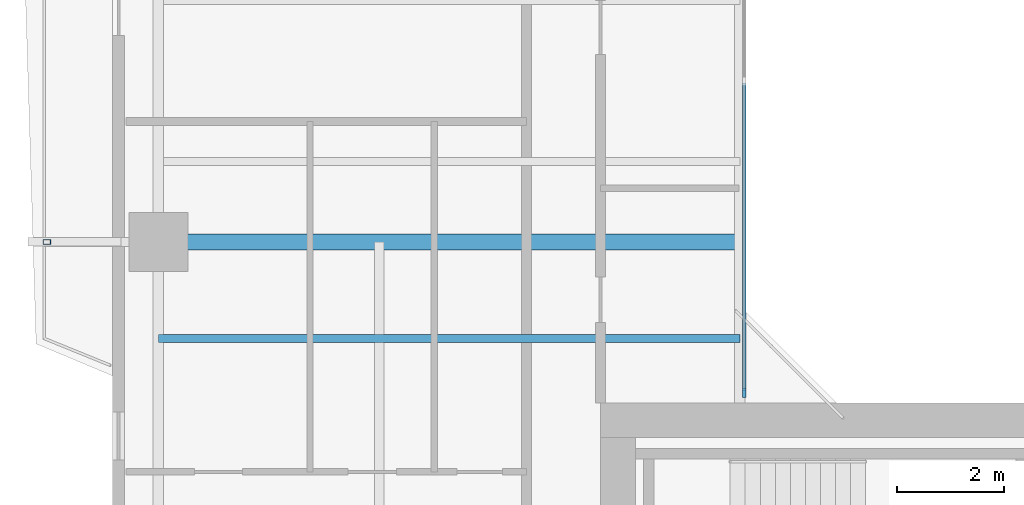
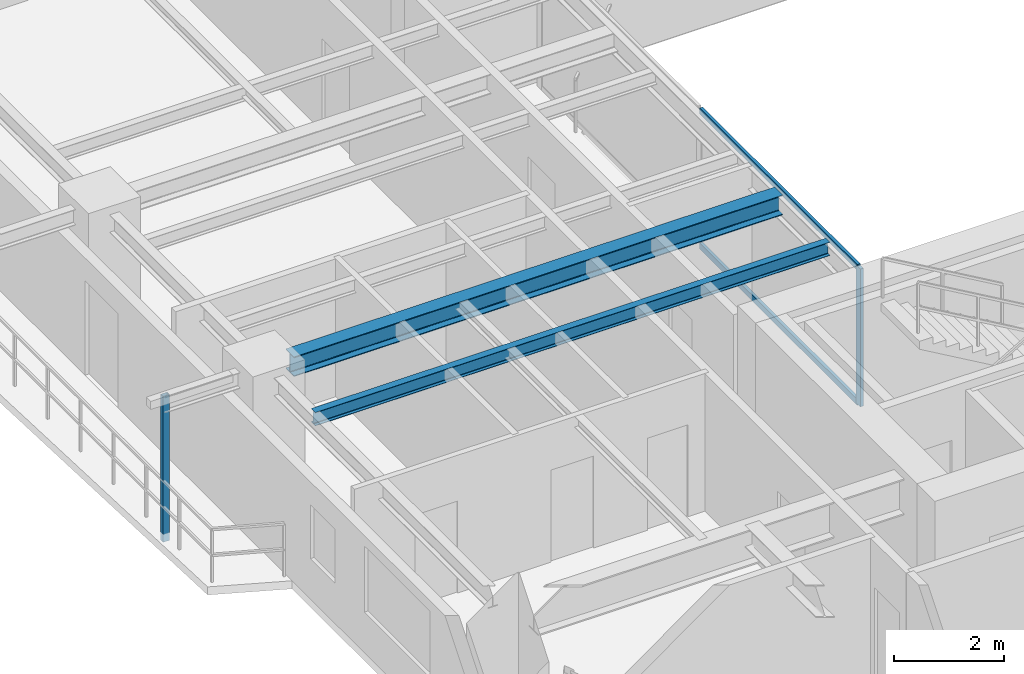
# One storey, part 3 of 23: 4 members, 2 beams, 1 element without a shape of its own.
"""IFC4 building model written with IfcOpenShell, lengths in metres."""

from ifc_helpers import new_model, si_unit, direction, frame, origin, origin_2d, place, context, subcontext, project, spatial, rectangle, hollow_rectangle, i_section, extrude, source, transform, mapped, material, layer, layer_set, material_profile, profile_set, type_object, element, aggregate, save


model = new_model("IFC4")

# Units and contexts
model_context = context("Model", 3, precision=1e-05, world=origin(), true_north=direction((0.0, 1.0)))
body_context = subcontext(model_context, "Body", "Model", "MODEL_VIEW")
ifc_project = project(units=[si_unit("LENGTHUNIT", "METRE"), si_unit("AREAUNIT", "SQUARE_METRE"), si_unit("VOLUMEUNIT", "CUBIC_METRE"), si_unit("PLANEANGLEUNIT", "RADIAN"), si_unit("MASSUNIT", "GRAM", prefix="KILO"), si_unit("THERMODYNAMICTEMPERATUREUNIT", "KELVIN"), si_unit("POWERUNIT", "WATT")], contexts=[model_context])

# Site, building, storey
site_placement = place(None, origin())
site = spatial("IfcSite", under=ifc_project, at=site_placement, CompositionType="ELEMENT")
building_placement = place(site_placement, origin())
building = spatial("IfcBuilding", under=site, at=building_placement, Name="Qiaomeng Ring Towers", CompositionType="ELEMENT")
storey_placement = place(building_placement, frame((0.0, 0.0, 100.25)))
storey = spatial("IfcBuildingStorey", under=building, at=storey_placement, Name="L28", CompositionType="ELEMENT", Elevation=100.25)

# Beams
ifc_material_1 = material(Name="Steel Q355B", Category="steel")
ifc_material_profile_1 = material_profile(ifc_material_1, i_section(OverallWidth=0.300048828125, OverallDepth=0.43994140625, WebThickness=0.010986328125, FlangeThickness=0.01806640625, FilletRadius=0.02392578125, at=origin_2d()), Name="HM 440x300x11x18")
ifc_profile_set_1 = profile_set([ifc_material_profile_1], Name="Steel Q355B")
beam_type_1 = type_object("IfcBeamType", Name="STR-BM-HM440", PredefinedType="BEAM", material=ifc_profile_set_1)
shared_shape_1 = source(origin(), body_context, "Body", "SweptSolid", [
    extrude(i_section(OverallWidth=0.300048828125, OverallDepth=0.43994140625, WebThickness=0.010986328125, FlangeThickness=0.01806640625, FilletRadius=0.02392578125, at=origin_2d()), origin(), (0.0, 0.0, 1.0), 10.301025390625),
])
beam_1_placement = place(storey_placement, frame((2.4990234375, 20.0, 2.85009765625), z_axis=(1.0, 0.0, 0.0), x_axis=(0.0, 1.0, 0.0)))
element("IfcBeam", 1, at=beam_1_placement, inside=storey, type_object=beam_type_1, Name="L28 beam STR-BM-L28-T1-RAD-W2", PredefinedType="BEAM", context=body_context, shape_type="MappedRepresentation", body=[
    mapped(shared_shape_1, transform((0.0, 0.0, 0.0), x_axis=(1.0, 0.0, 0.0), y_axis=(0.0, 1.0, 0.0), z_axis=(0.0, 0.0, 1.0), scale=1.0)),
])
ifc_material_profile_2 = material_profile(ifc_material_1, i_section(OverallWidth=0.14990234375, OverallDepth=0.300048828125, WebThickness=0.006591796875, FlangeThickness=0.009033203125, FilletRadius=0.012939453125, at=origin_2d()), Name="HN 300x150x6.5x9")
ifc_profile_set_2 = profile_set([ifc_material_profile_2], Name="Steel Q355B")
beam_type_2 = type_object("IfcBeamType", Name="STR-BM-HN300", PredefinedType="JOIST", material=ifc_profile_set_2)
shared_shape_2 = source(origin(), body_context, "Body", "SweptSolid", [
    extrude(i_section(OverallWidth=0.14990234375, OverallDepth=0.300048828125, WebThickness=0.006591796875, FlangeThickness=0.009033203125, FilletRadius=0.012939453125, at=origin_2d()), origin(), (0.0, 0.0, 1.0), 10.85009765625),
])
beam_2_placement = place(storey_placement, frame((1.949951171875, 18.199951171875, 2.919921875), z_axis=(1.0, 0.0, 0.0), x_axis=(0.0, 1.0, 0.0)))
element("IfcBeam", 2, at=beam_2_placement, inside=storey, type_object=beam_type_2, Name="L28 beam STR-JST-L28-T1W-1", PredefinedType="JOIST", context=body_context, shape_type="MappedRepresentation", body=[
    mapped(shared_shape_2, transform((0.0, 0.0, 0.0), x_axis=(1.0, 0.0, 0.0), y_axis=(0.0, 1.0, 0.0), z_axis=(0.0, 0.0, 1.0), scale=1.0)),
])

# Curtain wall, members
ifc_material_2 = material(Name="Fluorocarbon dark-grey aluminium", Category="aluminium")
ifc_layer = layer(ifc_material_2, 0.139892578125, Name="Fluorocarbon dark-grey aluminium")
ifc_layer_set = layer_set([ifc_layer], Name="Fluorocarbon dark-grey aluminium")
curtain_wall_type = type_object("IfcCurtainWallType", Name="ARC-CW-4", PredefinedType="NOTDEFINED", material=ifc_layer_set)
curtain_wall_placement = place(storey_placement, origin())
curtain_wall = element("IfcCurtainWall", 3, at=curtain_wall_placement, inside=storey, type_object=curtain_wall_type, Name="L28 Curtain Wall CW4", PredefinedType="NOTDEFINED")
ifc_material_profile_3 = material_profile(ifc_material_2, rectangle(XDim=0.06494140625, YDim=0.159912109375, at=origin_2d()), Name="ALU MULL 65x160")
ifc_profile_set_3 = profile_set([ifc_material_profile_3], Name="Fluorocarbon dark-grey aluminium")
member_type_1 = type_object("IfcMemberType", Name="ARC-CWM-140", PredefinedType="MULLION", material=ifc_profile_set_3)
shared_shape_3 = source(origin(), body_context, "Body", "SweptSolid", [
    extrude(rectangle(XDim=0.06494140625, YDim=0.159912109375, at=origin_2d()), origin(), (0.0, 0.0, 1.0), 3.070068359375),
])
member_1_placement = place(storey_placement, frame((12.8798828125, 17.1826171875, 0.0), z_axis=(0.0, 0.0, 1.0), x_axis=(-1.0, 0.0, 0.0)))
member_1 = element("IfcMember", 4, at=member_1_placement, type_object=member_type_1, Name="CW4 mullion 1", PredefinedType="MULLION", context=body_context, shape_type="MappedRepresentation", body=[
    mapped(shared_shape_3, transform((0.0, 0.0, 0.0), x_axis=(1.0, 0.0, 0.0), y_axis=(0.0, 1.0, 0.0), z_axis=(0.0, 0.0, 1.0), scale=1.0)),
])
ifc_material_profile_4 = material_profile(ifc_material_2, rectangle(XDim=0.06494140625, YDim=0.1298828125, at=origin_2d()), Name="ALU TRAN 65x130")
ifc_profile_set_4 = profile_set([ifc_material_profile_4], Name="Fluorocarbon dark-grey aluminium")
member_type_2 = type_object("IfcMemberType", Name="ARC-CWT-120", PredefinedType="USERDEFINED", material=ifc_profile_set_4)
shared_shape_4 = source(origin(), body_context, "Body", "SweptSolid", [
    extrude(rectangle(XDim=0.06494140625, YDim=0.1298828125, at=origin_2d()), origin(), (0.0, 0.0, 1.0), 5.75244140625),
])
member_2_placement = place(storey_placement, frame((12.8798828125, 17.215087890625, 0.032470703125), z_axis=(0.0, 1.0, 0.0), x_axis=(-1.0, 0.0, 0.0)))
member_2 = element("IfcMember", 5, at=member_2_placement, type_object=member_type_2, Name="CW4 transom 1.1", ObjectType="TRANSOM", PredefinedType="USERDEFINED", context=body_context, shape_type="MappedRepresentation", body=[
    mapped(shared_shape_4, transform((0.0, 0.0, 0.0), x_axis=(1.0, 0.0, 0.0), y_axis=(0.0, 1.0, 0.0), z_axis=(0.0, 0.0, 1.0), scale=1.0)),
])
member_3_placement = place(storey_placement, frame((12.8798828125, 17.215087890625, 3.03759765625), z_axis=(0.0, 1.0, 0.0), x_axis=(-1.0, 0.0, 0.0)))
member_3 = element("IfcMember", 6, at=member_3_placement, type_object=member_type_2, Name="CW4 transom 1.2", ObjectType="TRANSOM", PredefinedType="USERDEFINED", context=body_context, shape_type="MappedRepresentation", body=[
    mapped(shared_shape_4, transform((0.0, 0.0, 0.0), x_axis=(1.0, 0.0, 0.0), y_axis=(0.0, 1.0, 0.0), z_axis=(0.0, 0.0, 1.0), scale=1.0)),
])
aggregate(curtain_wall, [member_1, member_2, member_3])

# Member
ifc_material_3 = material(Name="Stainless steel 316", Category="steel")
ifc_material_profile_5 = material_profile(ifc_material_3, hollow_rectangle(XDim=0.090087890625, YDim=0.139892578125, WallThickness=0.0048828125, at=origin_2d()), Name="SS TRELLIS 90x140")
ifc_profile_set_5 = profile_set([ifc_material_profile_5], Name="Stainless steel 316")
member_type_3 = type_object("IfcMemberType", Name="ARC-TR-POST1", PredefinedType="STUD", material=ifc_profile_set_5)
shared_shape_5 = source(origin(), body_context, "Body", "SweptSolid", [
    extrude(hollow_rectangle(XDim=0.090087890625, YDim=0.139892578125, WallThickness=0.0048828125, at=origin_2d()), origin(), (0.0, 0.0, 1.0), 3.25),
])
member_4_placement = place(storey_placement, frame((-0.1298828125, 20.0, -0.179931640625), z_axis=(0.0, 0.0, 1.0), x_axis=(0.0, 1.0, 0.0)))
element("IfcMember", 7, at=member_4_placement, inside=storey, type_object=member_type_3, Name="L28 Outer Ventilated Trellis Post W", PredefinedType="STUD", context=body_context, shape_type="MappedRepresentation", body=[
    mapped(shared_shape_5, transform((0.0, 0.0, 0.0), x_axis=(1.0, 0.0, 0.0), y_axis=(0.0, 1.0, 0.0), z_axis=(0.0, 0.0, 1.0), scale=1.0)),
])

save(model, "model.ifc")
